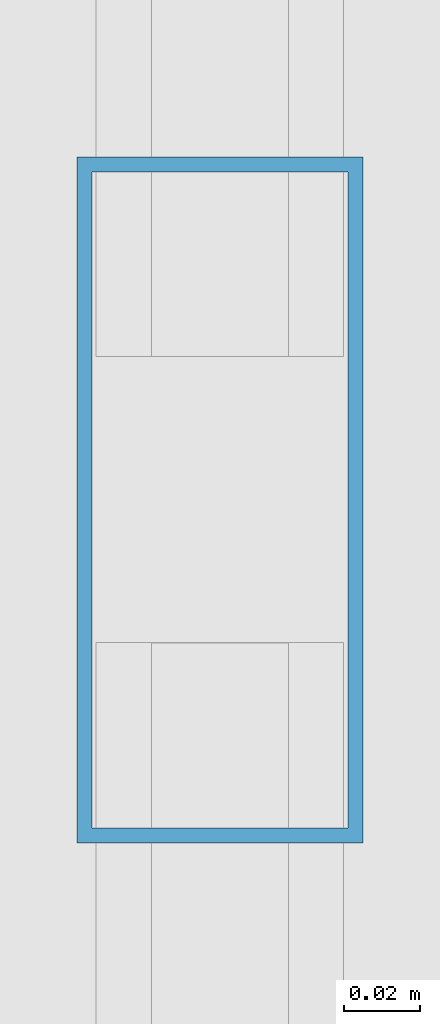
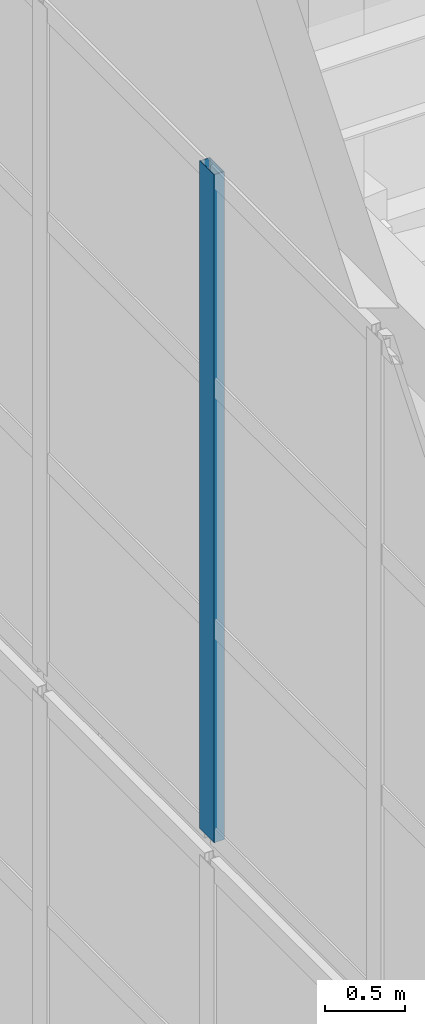
# One storey, part 9 of 47: 1 member, 1 element without a shape of its own.
"""IFC4 building model written with IfcOpenShell, lengths in metres."""

from ifc_helpers import new_model, si_unit, direction, frame, origin, origin_2d, place, context, subcontext, project, spatial, hollow_rectangle, extrude, material, layer, layer_set, material_profile, profile_set, type_object, element, aggregate, save


model = new_model("IFC4")

# Units and contexts
model_context = context("Model", 3, precision=1e-05, world=origin(), true_north=direction((0.0, 1.0)))
body_context = subcontext(model_context, "Body", "Model", "MODEL_VIEW")
ifc_project = project(units=[si_unit("LENGTHUNIT", "METRE"), si_unit("AREAUNIT", "SQUARE_METRE"), si_unit("VOLUMEUNIT", "CUBIC_METRE"), si_unit("PLANEANGLEUNIT", "RADIAN"), si_unit("MASSUNIT", "GRAM", prefix="KILO")], contexts=[model_context])

# Site, building, storey
site_placement = place(None, origin())
site = spatial("IfcSite", under=ifc_project, at=site_placement, CompositionType="ELEMENT")
building_placement = place(site_placement, origin())
building = spatial("IfcBuilding", under=site, at=building_placement, Name="Qiaolan Cultural Towers", CompositionType="ELEMENT")
storey_placement = place(building_placement, frame((0.0, 0.0, 280.199951171875)))
storey = spatial("IfcBuildingStorey", under=building, at=storey_placement, Name="RF", CompositionType="ELEMENT", Elevation=280.199951171875)

# Curtain wall, member
ifc_material_1 = material(Name="Unitized Anodized Aluminium Curtain Wall System", Category="aluminium")
ifc_layer = layer(ifc_material_1, 0.199951171875)
ifc_layer_set = layer_set([ifc_layer], Name="Unitized Anodized Aluminium Curtain Wall System")
curtain_wall_type = type_object("IfcCurtainWallType", Name="CWS-06", PredefinedType="NOTDEFINED", material=ifc_layer_set)
curtain_wall_placement = place(storey_placement, origin())
curtain_wall = element("IfcCurtainWall", 1, at=curtain_wall_placement, inside=storey, type_object=curtain_wall_type, Name="T1 Crown Tier 5 Fritted Screen Curtain Wall 7", PredefinedType="NOTDEFINED")
ifc_material_2 = material(Name="Extruded Aluminium 6063-T6", Category="aluminium")
ifc_material_profile = material_profile(ifc_material_2, hollow_rectangle(XDim=0.074951171875, YDim=0.179931640625, WallThickness=0.00390625, at=origin_2d()), Name="CWM-180x75x4")
ifc_profile_set = profile_set([ifc_material_profile], Name="Extruded Aluminium 6063-T6")
member_type = type_object("IfcMemberType", Name="CWS-06-MUL", PredefinedType="MULLION", material=ifc_profile_set)
member_placement = place(storey_placement, frame((14.949951171875, 31.909912109375, 21.300048828125), z_axis=(0.0, 0.0, 1.0), x_axis=(1.0, 0.0, 0.0)))
member = element("IfcMember", 2, at=member_placement, type_object=member_type, Name="CW-6 mullion 5", PredefinedType="MULLION", context=body_context, shape_type="SweptSolid", body=[
    extrude(hollow_rectangle(XDim=0.074951171875, YDim=0.179931640625, WallThickness=0.00390625, at=origin_2d()), origin(), (0.0, 0.0, 1.0), 5.10009765625),
])
aggregate(curtain_wall, [member])

save(model, "model.ifc")
